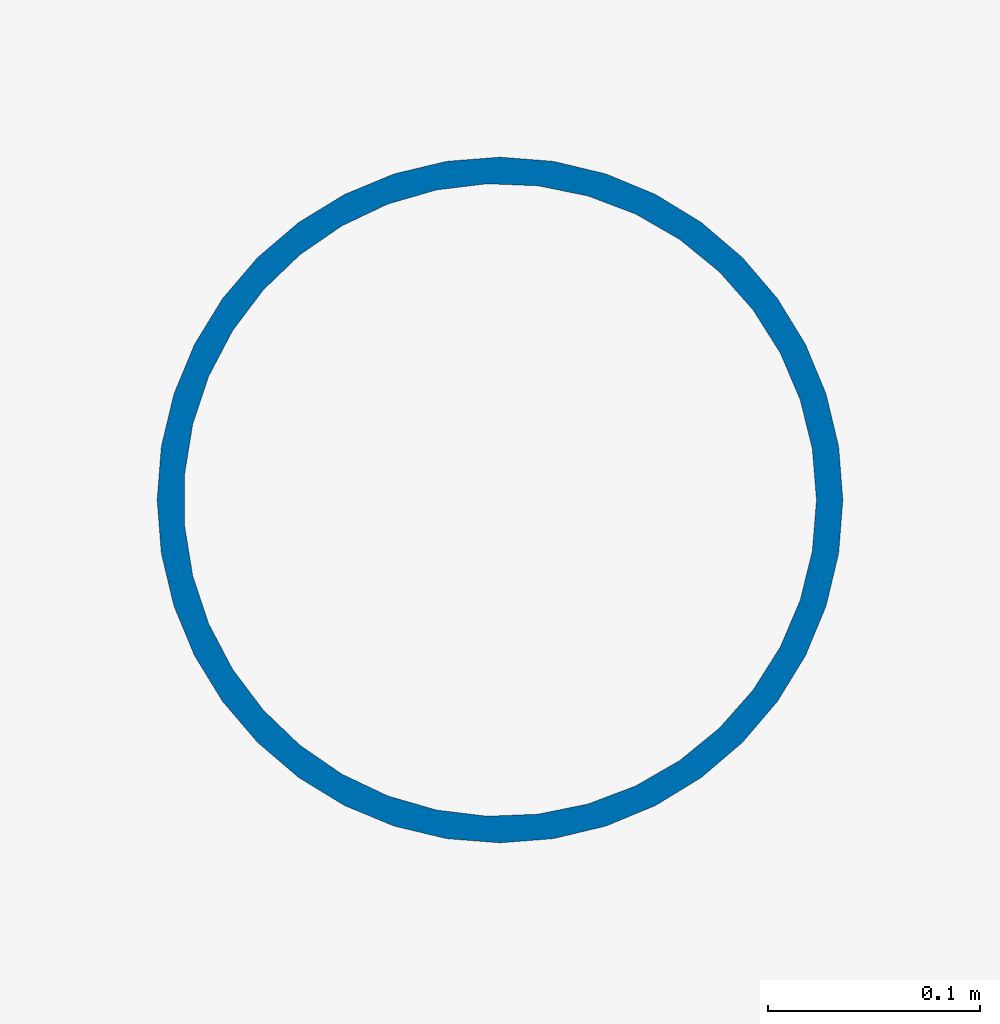
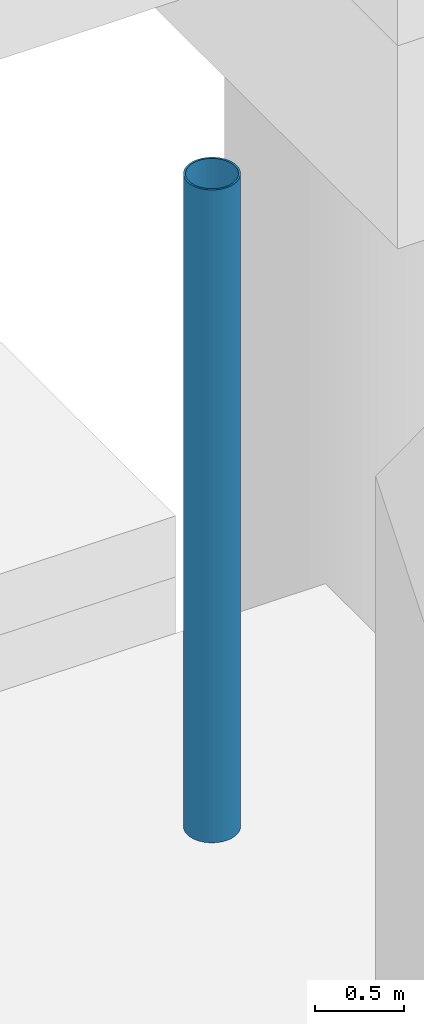
# One storey, part 13 of 40: 1 column.
"""IFC4 building model written with IfcOpenShell, lengths in metres."""

from ifc_helpers import new_model, si_unit, direction, frame, origin, origin_2d, place, context, subcontext, project, spatial, hollow_circle, extrude, material, material_profile, profile_set, type_object, element, save


model = new_model("IFC4")

# Units and contexts
model_context = context("Model", 3, precision=1e-05, world=origin(), true_north=direction((0.0, 1.0)))
body_context = subcontext(model_context, "Body", "Model", "MODEL_VIEW")
ifc_project = project(units=[si_unit("LENGTHUNIT", "METRE"), si_unit("AREAUNIT", "SQUARE_METRE"), si_unit("VOLUMEUNIT", "CUBIC_METRE"), si_unit("PLANEANGLEUNIT", "RADIAN"), si_unit("MASSUNIT", "GRAM", prefix="KILO")], contexts=[model_context])

# Site, building, storey
site_placement = place(None, origin())
site = spatial("IfcSite", under=ifc_project, at=site_placement, CompositionType="ELEMENT")
building_placement = place(site_placement, origin())
building = spatial("IfcBuilding", under=site, at=building_placement, Name="Mzevani Central Library", CompositionType="ELEMENT")
storey_placement = place(building_placement, frame((0.0, 0.0, -4.5)))
storey = spatial("IfcBuildingStorey", under=building, at=storey_placement, Name="B1", CompositionType="ELEMENT", Elevation=-4.5)

# Column
ifc_material = material(Name="Steel S355J2", Category="steel")
ifc_material_profile = material_profile(ifc_material, hollow_circle(Radius=0.161865234375, WallThickness=0.012451171875, at=origin_2d()), Name="CHS 323.9x12.5")
ifc_profile_set = profile_set([ifc_material_profile], Name="Steel S355J2")
column_type = type_object("IfcColumnType", Name="Feature Tubular Column CHS 323", PredefinedType="COLUMN", material=ifc_profile_set)
column_placement = place(storey_placement, frame((114.199951171875, 67.10009765625, 0.0), z_axis=(0.0, 0.0, 1.0), x_axis=(1.0, 0.0, 0.0)))
element("IfcColumn", 1, at=column_placement, inside=storey, type_object=column_type, Name="B1 Gridshell Ring Support Column 04", PredefinedType="COLUMN", context=body_context, shape_type="SweptSolid", body=[
    extrude(hollow_circle(Radius=0.161865234375, WallThickness=0.012451171875, at=origin_2d()), origin(), (0.0, 0.0, 1.0), 4.5),
])

save(model, "model.ifc")
